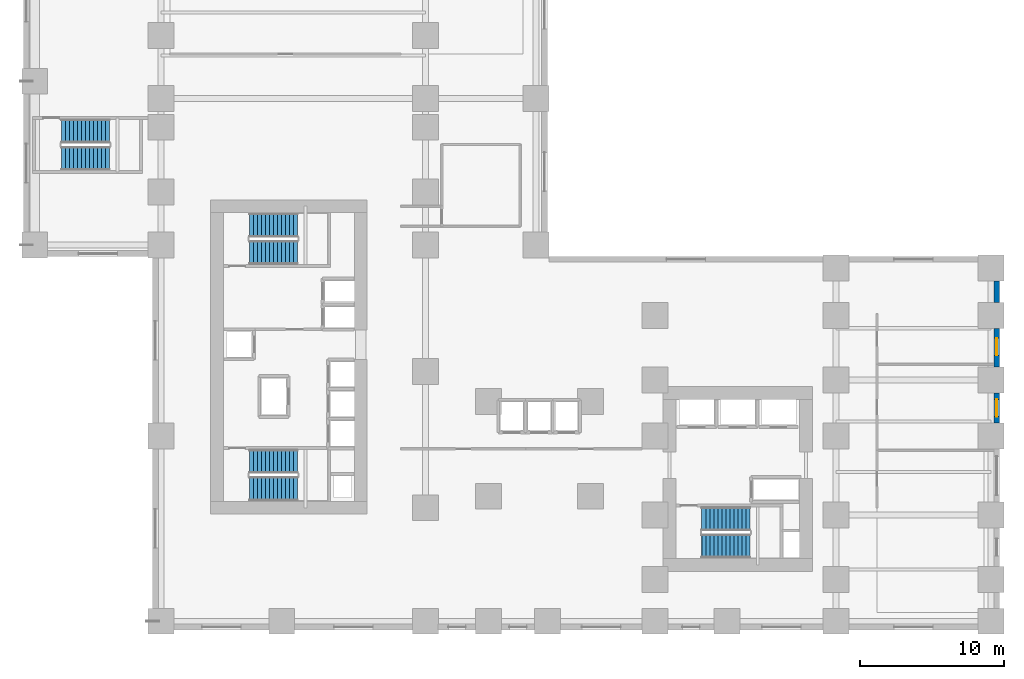
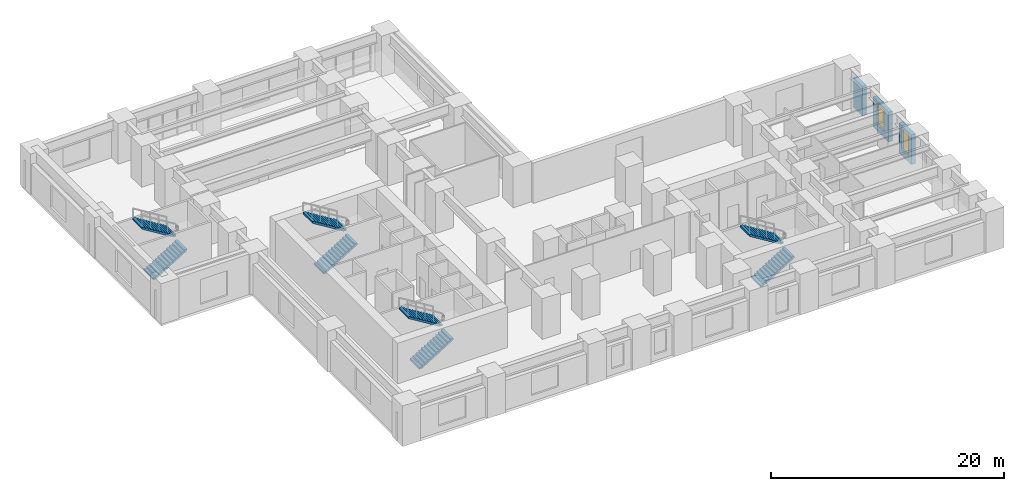
# One storey, part 8 of 11: 8 stair flights, 3 walls, 2 windows, 2 openings, 4 elements without a shape of their own.
"""IFC4 building model written with IfcOpenShell, lengths in metres."""

import ifcopenshell
import ifcopenshell.guid

model = None  # the IFC model being written
_history = None  # IfcOwnerHistory: only IFC2X3 demands one
_inside = {}  # id of a spatial element -> (the spatial element, [elements in it])
_under = {}  # id of a project, library or spatial element -> (it, [spatial elements below it])
_declared = {}  # id of a project -> (the project, [libraries it declares])
_typed = {}  # id of a type object -> (the type object, [elements of that type])
_made_of = {}  # id of a material, layer set ... -> (it, [elements and type objects made of it])


def new_model(schema):
    """Start an empty IFC model of exactly this schema.

    Asked for "IFC4X3", IfcOpenShell would pick the latest addendum, in which some entities
    have other attributes; the version numbers below select the first issue.
    IFC2X3 requires an IfcOwnerHistory on every rooted entity: one is made here for all.
    """
    global model, _history
    if schema == "IFC4X3":
        model = ifcopenshell.file(schema_version=(4, 3, 0, 0))
    else:
        model = ifcopenshell.file(schema=schema)
    _inside.clear()
    _under.clear()
    _declared.clear()
    _typed.clear()
    _made_of.clear()
    _history = None
    if model.schema == "IFC2X3":
        org = make("IfcOrganization", Name="unknown")
        user = make(
            "IfcPersonAndOrganization",
            ThePerson=make("IfcPerson", FamilyName="unknown"),
            TheOrganization=org,
        )
        app = make(
            "IfcApplication",
            ApplicationDeveloper=org,
            Version="unknown",
            ApplicationFullName="unknown",
            ApplicationIdentifier="unknown",
        )
        _history = make(
            "IfcOwnerHistory",
            OwningUser=user,
            OwningApplication=app,
            ChangeAction="ADDED",
            CreationDate=0,
        )
    return model


def make(cls, **values):
    """One entity of the class cls with the attributes given. An attribute that is None is left unset."""
    return model.create_entity(
        cls, **{name: value for name, value in values.items() if value is not None}
    )


def rooted(cls, **values):
    """An entity with a GlobalId (a new one), such as an element, a storey or a relation."""
    return make(cls, GlobalId=ifcopenshell.guid.new(), OwnerHistory=_history, **values)


def si_unit(unit_type, name, prefix=None):
    """IfcSIUnit, for example si_unit("LENGTHUNIT", "METRE", prefix="MILLI")."""
    return make("IfcSIUnit", UnitType=unit_type, Prefix=prefix, Name=name)


def assignment(units):
    """IfcUnitAssignment: the units of a project."""
    return None if units is None else make("IfcUnitAssignment", Units=units)


def point(xyz):
    """IfcCartesianPoint."""
    return None if xyz is None else make("IfcCartesianPoint", Coordinates=xyz)


def direction(xyz):
    """IfcDirection."""
    return None if xyz is None else make("IfcDirection", DirectionRatios=xyz)


def frame(location, z_axis=None, x_axis=None):
    """IfcAxis2Placement3D, a coordinate frame: its origin and axes. An axis left out is left unset."""
    return make(
        "IfcAxis2Placement3D",
        Location=point(location),
        Axis=direction(z_axis),
        RefDirection=direction(x_axis),
    )


def frame_2d(location, x_axis=None):
    """IfcAxis2Placement2D, a coordinate frame in the plane: its origin and x axis."""
    return make(
        "IfcAxis2Placement2D", Location=point(location), RefDirection=direction(x_axis)
    )


def origin():
    """The frame at (0, 0, 0) with its axes left unset."""
    return frame((0.0, 0.0, 0.0))


def place(relative_to, where):
    """IfcLocalPlacement: puts the frame where relative to a parent placement (None: the world)."""
    return make(
        "IfcLocalPlacement", PlacementRelTo=relative_to, RelativePlacement=where
    )


def context(
    kind, dimensions, precision=None, world=None, true_north=None, identifier=None
):
    """IfcGeometricRepresentationContext, for example the 3D "Model" context."""
    return make(
        "IfcGeometricRepresentationContext",
        ContextIdentifier=identifier,
        ContextType=kind,
        CoordinateSpaceDimension=dimensions,
        Precision=precision,
        WorldCoordinateSystem=world,
        TrueNorth=true_north,
    )


def subcontext(parent, identifier, kind, view, scale=None):
    """IfcGeometricRepresentationSubContext, for example "Body" below "Model"."""
    return make(
        "IfcGeometricRepresentationSubContext",
        ContextIdentifier=identifier,
        ContextType=kind,
        ParentContext=parent,
        TargetScale=scale,
        TargetView=view,
    )


def project(units=None, contexts=None):
    """IfcProject with its units and contexts."""
    return rooted(
        "IfcProject",
        Name="project",
        RepresentationContexts=contexts,
        UnitsInContext=assignment(units),
    )


def spatial(cls, under=None, at=None, **own):
    """A site, building, storey or space (cls), placed at a placement, below another one or the project."""
    s = rooted(cls, ObjectPlacement=at, **own)
    if under is not None:
        _under.setdefault(under.id(), (under, []))[1].append(s)
    return s


def polyline(points):
    """IfcPolyline through the points."""
    return make("IfcPolyline", Points=[point(p) for p in points])


def profile(cls, at=None, kind="AREA", **sizes):
    """A parametric profile (cls). Its sizes go by their IFC names, for example OverallWidth=200.0."""
    return make(cls, ProfileType=kind, Position=at, **sizes)


def rectangle(**sizes):
    """IfcRectangleProfileDef."""
    return profile("IfcRectangleProfileDef", **sizes)


def outline(outer, holes=None, kind="AREA"):
    """IfcArbitraryClosedProfileDef: a profile drawn as a closed curve; with holes, ...WithVoids."""
    if holes is None:
        return make("IfcArbitraryClosedProfileDef", ProfileType=kind, OuterCurve=outer)
    return make(
        "IfcArbitraryProfileDefWithVoids",
        ProfileType=kind,
        OuterCurve=outer,
        InnerCurves=holes,
    )


def extrude(swept, where, along, depth):
    """IfcExtrudedAreaSolid: the profile swept, set in the frame where, extruded along a direction by depth."""
    return make(
        "IfcExtrudedAreaSolid",
        SweptArea=swept,
        Position=where,
        ExtrudedDirection=direction(along),
        Depth=depth,
    )


def shape(context_of_items, identifier, shape_type, items):
    """IfcShapeRepresentation: the items that make up one representation, for example the "Body"."""
    return make(
        "IfcShapeRepresentation",
        ContextOfItems=context_of_items,
        RepresentationIdentifier=identifier,
        RepresentationType=shape_type,
        Items=items,
    )


def source(mapping_origin, context_of_items, identifier, shape_type, items):
    """IfcRepresentationMap: a shape defined once, which mapped items show again and again."""
    return make(
        "IfcRepresentationMap",
        MappingOrigin=mapping_origin,
        MappedRepresentation=shape(context_of_items, identifier, shape_type, items),
    )


def transform(
    local_origin,
    x_axis=None,
    y_axis=None,
    z_axis=None,
    scale=None,
    scale2=None,
    scale3=None,
    uniform=True,
):
    """IfcCartesianTransformationOperator3D, or its non-uniform kind. x_axis, y_axis, z_axis: its Axis1, 2, 3."""
    if uniform:
        return make(
            "IfcCartesianTransformationOperator3D",
            Axis1=direction(x_axis),
            Axis2=direction(y_axis),
            LocalOrigin=point(local_origin),
            Scale=scale,
            Axis3=direction(z_axis),
        )
    return make(
        "IfcCartesianTransformationOperator3DnonUniform",
        Axis1=direction(x_axis),
        Axis2=direction(y_axis),
        LocalOrigin=point(local_origin),
        Scale=scale,
        Axis3=direction(z_axis),
        Scale2=scale2,
        Scale3=scale3,
    )


def mapped(mapping_source, mapping_target):
    """IfcMappedItem: shows the shape of a source again, moved by a transform."""
    return make(
        "IfcMappedItem", MappingSource=mapping_source, MappingTarget=mapping_target
    )


def material(Name=None, Category=None):
    """IfcMaterial."""
    return make("IfcMaterial", Name=Name, Category=Category)


def layer(
    of_material, thickness, ventilated=None, Name=None, Category=None, Priority=None
):
    """IfcMaterialLayer: one layer of a wall or slab, of a material (None: an air gap)."""
    return make(
        "IfcMaterialLayer",
        Material=of_material,
        LayerThickness=thickness,
        IsVentilated=ventilated,
        Name=Name,
        Category=Category,
        Priority=Priority,
    )


def layer_set(layers, Name=None):
    """IfcMaterialLayerSet."""
    return make("IfcMaterialLayerSet", MaterialLayers=layers, LayerSetName=Name)


def made_of(thing, what):
    """Note that an element or type object is made of a material, layer set ...; save() writes the relation."""
    if what is not None:
        _made_of.setdefault(what.id(), (what, []))[1].append(thing)
    return thing


def type_object(cls, material=None, **own):
    """A type object (cls), such as IfcWallType, which elements share."""
    return made_of(rooted(cls, **own), material)


def element(
    cls,
    number,
    at=None,
    inside=None,
    cuts=None,
    type_object=None,
    material=None,
    context=None,
    identifier="Body",
    shape_type=None,
    held_by="IfcProductDefinitionShape",
    body=None,
    shapes=None,
    **own,
):
    """One element of the class cls, such as IfcWall. Its Tag is "e" and its number.

    at: its placement. inside: the storey or other place that contains it. cuts: it is an
    opening in that element (IfcRelVoidsElement). A single representation is given by context,
    identifier, shape_type and body (its items); several are given by shapes. held_by: the class
    of the entity that holds the representations. save() writes the other relations.
    """
    e = rooted(cls, Tag="e%d" % number, ObjectPlacement=at, **own)
    if body is not None:
        shapes = [shape(context, identifier, shape_type, body)]
    if shapes is not None:
        e.Representation = make(held_by, Representations=shapes)
    if inside is not None:
        _inside.setdefault(inside.id(), (inside, []))[1].append(e)
    if cuts is not None:
        rooted(
            "IfcRelVoidsElement", RelatingBuildingElement=cuts, RelatedOpeningElement=e
        )
    if type_object is not None:
        _typed.setdefault(type_object.id(), (type_object, []))[1].append(e)
    return made_of(e, material)


def fill(opening, filler):
    """IfcRelFillsElement: the door or window that sits in an opening."""
    return rooted(
        "IfcRelFillsElement",
        RelatingOpeningElement=opening,
        RelatedBuildingElement=filler,
    )


def aggregate(whole, parts):
    """IfcRelAggregates: a whole, such as a stair, and the parts it consists of."""
    return rooted("IfcRelAggregates", RelatingObject=whole, RelatedObjects=parts)


def save(model, path):
    """Write the relations noted so far, then the file.

    IfcRelAggregates (storeys below a building ...), IfcRelContainedInSpatialStructure (elements
    in a storey), IfcRelDefinesByType, IfcRelAssociatesMaterial and IfcRelDeclares: one each for
    every whole, place, type object, material and project.
    """
    for whole, parts in _under.values():
        aggregate(whole, parts)
    for where, things in _inside.values():
        rooted(
            "IfcRelContainedInSpatialStructure",
            RelatedElements=things,
            RelatingStructure=where,
        )
    for kind, things in _typed.values():
        rooted("IfcRelDefinesByType", RelatedObjects=things, RelatingType=kind)
    for what, things in _made_of.values():
        rooted("IfcRelAssociatesMaterial", RelatedObjects=things, RelatingMaterial=what)
    for by, libraries in _declared.values():
        rooted("IfcRelDeclares", RelatingContext=by, RelatedDefinitions=libraries)
    model.write(path)


model = new_model("IFC4")

# Units and contexts
model_context = context("Model", 3, precision=1e-05, world=origin(), true_north=direction((0.0, 1.0)))
body_context = subcontext(model_context, "Body", "Model", "MODEL_VIEW")
ifc_project = project(units=[si_unit("LENGTHUNIT", "METRE"), si_unit("AREAUNIT", "SQUARE_METRE"), si_unit("VOLUMEUNIT", "CUBIC_METRE"), si_unit("PLANEANGLEUNIT", "RADIAN"), si_unit("MASSUNIT", "GRAM", prefix="KILO")], contexts=[model_context])

# Site, building, storey
site_placement = place(None, origin())
site = spatial("IfcSite", under=ifc_project, at=site_placement, CompositionType="ELEMENT")
building_placement = place(site_placement, origin())
building = spatial("IfcBuilding", under=site, at=building_placement, Name="Kharzan Plaza Tower", CompositionType="ELEMENT")
storey_placement = place(building_placement, frame((0.0, 0.0, 9.0)))
storey = spatial("IfcBuildingStorey", under=building, at=storey_placement, Name="L02", CompositionType="ELEMENT", Elevation=9.0)

# Wall, opening, window
ifc_material_1 = material(Name="Concrete C40/50", Category="concrete")
ifc_layer = layer(ifc_material_1, 0.39990234375)
ifc_layer_set = layer_set([ifc_layer], Name="Concrete C40/50")
wall_type = type_object("IfcWallType", Name="WL-POD-MAS-400", PredefinedType="SOLIDWALL", material=ifc_layer_set)
wall_1_placement = place(storey_placement, frame((58.800048828125, 14.39794921875, 0.0), z_axis=(0.0, 0.0, 1.0), x_axis=(0.0, 1.0, 0.0)))
wall_1 = element("IfcWall", 1, at=wall_1_placement, inside=storey, type_object=wall_type, Name="L02 Masonry-Frame Exterior Wall 27", PredefinedType="SOLIDWALL", context=body_context, shape_type="SweptSolid", body=[
    extrude(rectangle(XDim=2.10400390625, YDim=0.39990234375, at=frame_2d((1.052001953125, 0.0))), origin(), (0.0, 0.0, 1.0), 3.116943359375),
])
opening_1_placement = place(wall_1_placement, frame((0.451904296875, 0.0, 0.64990234375)))
opening_1 = element("IfcOpeningElement", 2, at=opening_1_placement, cuts=wall_1, Name="Opening W3", PredefinedType="OPENING", context=body_context, shape_type="SweptSolid", body=[
    extrude(rectangle(XDim=1.199951171875, YDim=2.287109375, at=frame_2d((0.60009765625, 1.1435546875))), frame((0.0, 0.2099609375, 0.0), z_axis=(0.0, -1.0, 0.0), x_axis=(1.0, 0.0, 0.0)), (0.0, 0.0, 1.0), 0.419921875),
])
ifc_material_2 = material(Name="Low-E Double Glazing", Category="glass")
window_type = type_object("IfcWindowType", Name="WN-REC-1200x2100", PartitioningType="SINGLE_PANEL", PredefinedType="WINDOW", material=ifc_material_2)
shared_shape_1 = source(origin(), body_context, "Body", "SweptSolid", [
    extrude(rectangle(XDim=1.199951171875, YDim=2.287109375, at=frame_2d((0.60009765625, 1.1435546875))), frame((0.0, 0.030029296875, 0.0), z_axis=(0.0, -1.0, 0.0), x_axis=(1.0, 0.0, 0.0)), (0.0, 0.0, 1.0), 0.06005859375),
])
window_1_placement = place(opening_1_placement, origin())
window_1 = element("IfcWindow", 3, at=window_1_placement, inside=storey, type_object=window_type, Name="L02 Recessed Solar-Control Window 27-1", OverallHeight=2.287109375, OverallWidth=1.199951171875, PartitioningType="SINGLE_PANEL", PredefinedType="WINDOW", context=body_context, shape_type="MappedRepresentation", body=[
    mapped(shared_shape_1, transform((0.0, 0.0, 0.0), x_axis=(1.0, 0.0, 0.0), y_axis=(0.0, 1.0, 0.0), z_axis=(0.0, 0.0, 1.0))),
])
fill(opening_1, window_1)

wall_2_placement = place(storey_placement, frame((58.800048828125, 18.298095703125, 0.0), z_axis=(0.0, 0.0, 1.0), x_axis=(0.0, 1.0, 0.0)))
wall_2 = element("IfcWall", 4, at=wall_2_placement, inside=storey, type_object=wall_type, Name="L02 Masonry-Frame Exterior Wall 28", PredefinedType="SOLIDWALL", context=body_context, shape_type="SweptSolid", body=[
    extrude(rectangle(XDim=2.703857421875, YDim=0.39990234375, at=frame_2d((1.35205078125, 0.0))), origin(), (0.0, 0.0, 1.0), 3.116943359375),
])
opening_2_placement = place(wall_2_placement, frame((0.818115234375, 0.0, 0.64990234375)))
opening_2 = element("IfcOpeningElement", 5, at=opening_2_placement, cuts=wall_2, Name="Opening W3", PredefinedType="OPENING", context=body_context, shape_type="SweptSolid", body=[
    extrude(rectangle(XDim=1.199951171875, YDim=2.287109375, at=frame_2d((0.60009765625, 1.1435546875))), frame((0.0, 0.2099609375, 0.0), z_axis=(0.0, -1.0, 0.0), x_axis=(1.0, 0.0, 0.0)), (0.0, 0.0, 1.0), 0.419921875),
])
window_2_placement = place(opening_2_placement, origin())
window_2 = element("IfcWindow", 6, at=window_2_placement, inside=storey, type_object=window_type, Name="L02 Recessed Solar-Control Window 28-1", OverallHeight=2.287109375, OverallWidth=1.199951171875, PartitioningType="SINGLE_PANEL", PredefinedType="WINDOW", context=body_context, shape_type="MappedRepresentation", body=[
    mapped(shared_shape_1, transform((0.0, 0.0, 0.0), x_axis=(1.0, 0.0, 0.0), y_axis=(0.0, 1.0, 0.0), z_axis=(0.0, 0.0, 1.0))),
])
fill(opening_2, window_2)

# Wall
shared_shape_2 = source(origin(), body_context, "Body", "SweptSolid", [
    extrude(rectangle(XDim=1.50390625, YDim=0.39990234375, at=frame_2d((0.751953125, 0.0))), origin(), (0.0, 0.0, 1.0), 3.116943359375),
])
wall_3_placement = place(storey_placement, frame((58.800048828125, 22.798095703125, 0.0), z_axis=(0.0, 0.0, 1.0), x_axis=(0.0, 1.0, 0.0)))
element("IfcWall", 7, at=wall_3_placement, inside=storey, type_object=wall_type, Name="L02 Masonry-Frame Exterior Wall 29", PredefinedType="SOLIDWALL", context=body_context, shape_type="MappedRepresentation", body=[
    mapped(shared_shape_2, transform((0.0, 0.0, 0.0), x_axis=(1.0, 0.0, 0.0), y_axis=(0.0, 1.0, 0.0), z_axis=(0.0, 0.0, 1.0))),
])

# Stair, stair flights
stair_type_1 = type_object("IfcStairType", Name="STR-ST-1", PredefinedType="HALF_TURN_STAIR", material=ifc_material_1)
stair_1_placement = place(storey_placement, origin())
stair_1 = element("IfcStair", 8, at=stair_1_placement, inside=storey, type_object=stair_type_1, Name="L02 Protected Exit Stair ST-1", PredefinedType="HALF_TURN_STAIR")
stair_flight_type = type_object("IfcStairFlightType", Name="SFL-1650-R173", PredefinedType="STRAIGHT", material=ifc_material_1)
shared_shape_3 = source(origin(), body_context, "Body", "SweptSolid", [
    extrude(outline(polyline([(-0.0029296875, -0.011962890625), (-0.0029296875, 0.0), (0.0, 0.0), (0.0, 0.173095703125), (0.280029296875, 0.173095703125), (0.280029296875, 0.34619140625), (0.56005859375, 0.34619140625), (0.56005859375, 0.519287109375), (0.840087890625, 0.519287109375), (0.840087890625, 0.6923828125), (1.1201171875, 0.6923828125), (1.1201171875, 0.865478515625), (1.400146484375, 0.865478515625), (1.400146484375, 1.03857421875), (1.68017578125, 1.03857421875), (1.68017578125, 1.211669921875), (1.960205078125, 1.211669921875), (1.960205078125, 1.384765625), (2.240234375, 1.384765625), (2.240234375, 1.557861328125), (2.520263671875, 1.557861328125), (2.520263671875, 1.73095703125), (2.80029296875, 1.73095703125), (2.80029296875, 1.904052734375), (3.080322265625, 1.904052734375), (3.080322265625, 2.0771484375), (3.3603515625, 2.0771484375), (3.3603515625, 2.250244140625), (3.3603515625, 1.90087890625), (0.28515625, 0.0), (0.28515625, -0.011962890625), (-0.0029296875, -0.011962890625)])), frame((0.0, 0.824951171875, 0.0), z_axis=(0.0, -1.0, 0.0), x_axis=(1.0, 0.0, 0.0)), (0.0, 0.0, 1.0), 1.64990234375),
])
stair_flight_1_placement = place(storey_placement, frame((6.75, 9.824951171875, 0.0), z_axis=(0.0, 0.0, 1.0), x_axis=(1.0, 0.0, 0.0)))
stair_flight_1 = element("IfcStairFlight", 9, at=stair_flight_1_placement, type_object=stair_flight_type, Name="ST-1 flight 1", NumberOfRisers=13, NumberOfTreads=12, PredefinedType="STRAIGHT", RiserHeight=0.173076923, TreadLength=0.28, context=body_context, shape_type="MappedRepresentation", body=[
    mapped(shared_shape_3, transform((0.0, 0.0, 0.0), x_axis=(1.0, 0.0, 0.0), y_axis=(0.0, 1.0, 0.0), z_axis=(0.0, 0.0, 1.0))),
])
stair_flight_2_placement = place(storey_placement, frame((10.110107421875, 11.72509765625, 2.25), z_axis=(0.0, 0.0, 1.0), x_axis=(-1.0, 0.0, 0.0)))
stair_flight_2 = element("IfcStairFlight", 10, at=stair_flight_2_placement, type_object=stair_flight_type, Name="ST-1 flight 2", NumberOfRisers=13, NumberOfTreads=12, PredefinedType="STRAIGHT", RiserHeight=0.173076923, TreadLength=0.28, context=body_context, shape_type="MappedRepresentation", body=[
    mapped(shared_shape_3, transform((0.0, 0.0, 0.0), x_axis=(1.0, 0.0, 0.0), y_axis=(0.0, 1.0, 0.0), z_axis=(0.0, 0.0, 1.0))),
])
aggregate(stair_1, [stair_flight_1, stair_flight_2])

stair_type_2 = type_object("IfcStairType", Name="STR-ST-2", PredefinedType="HALF_TURN_STAIR", material=ifc_material_1)
stair_2_placement = place(storey_placement, origin())
stair_2 = element("IfcStair", 11, at=stair_2_placement, inside=storey, type_object=stair_type_2, Name="L02 Protected Exit Stair ST-2", PredefinedType="HALF_TURN_STAIR")
stair_flight_3_placement = place(storey_placement, frame((6.75, 26.27490234375, 0.0), z_axis=(0.0, 0.0, 1.0), x_axis=(1.0, 0.0, 0.0)))
stair_flight_3 = element("IfcStairFlight", 12, at=stair_flight_3_placement, type_object=stair_flight_type, Name="ST-2 flight 1", NumberOfRisers=13, NumberOfTreads=12, PredefinedType="STRAIGHT", RiserHeight=0.173076923, TreadLength=0.28, context=body_context, shape_type="MappedRepresentation", body=[
    mapped(shared_shape_3, transform((0.0, 0.0, 0.0), x_axis=(1.0, 0.0, 0.0), y_axis=(0.0, 1.0, 0.0), z_axis=(0.0, 0.0, 1.0))),
])
stair_flight_4_placement = place(storey_placement, frame((10.110107421875, 28.175048828125, 2.25), z_axis=(0.0, 0.0, 1.0), x_axis=(-1.0, 0.0, 0.0)))
stair_flight_4 = element("IfcStairFlight", 13, at=stair_flight_4_placement, type_object=stair_flight_type, Name="ST-2 flight 2", NumberOfRisers=13, NumberOfTreads=12, PredefinedType="STRAIGHT", RiserHeight=0.173076923, TreadLength=0.28, context=body_context, shape_type="MappedRepresentation", body=[
    mapped(shared_shape_3, transform((0.0, 0.0, 0.0), x_axis=(1.0, 0.0, 0.0), y_axis=(0.0, 1.0, 0.0), z_axis=(0.0, 0.0, 1.0))),
])
aggregate(stair_2, [stair_flight_3, stair_flight_4])

stair_type_3 = type_object("IfcStairType", Name="STR-ST-3", PredefinedType="HALF_TURN_STAIR", material=ifc_material_1)
stair_3_placement = place(storey_placement, origin())
stair_3 = element("IfcStair", 14, at=stair_3_placement, inside=storey, type_object=stair_type_3, Name="L02 Protected Exit Stair ST-3", PredefinedType="HALF_TURN_STAIR")
stair_flight_5_placement = place(storey_placement, frame((38.25, 5.824951171875, 0.0), z_axis=(0.0, 0.0, 1.0), x_axis=(1.0, 0.0, 0.0)))
stair_flight_5 = element("IfcStairFlight", 15, at=stair_flight_5_placement, type_object=stair_flight_type, Name="ST-3 flight 1", NumberOfRisers=13, NumberOfTreads=12, PredefinedType="STRAIGHT", RiserHeight=0.173076923, TreadLength=0.28, context=body_context, shape_type="MappedRepresentation", body=[
    mapped(shared_shape_3, transform((0.0, 0.0, 0.0), x_axis=(1.0, 0.0, 0.0), y_axis=(0.0, 1.0, 0.0), z_axis=(0.0, 0.0, 1.0))),
])
stair_flight_6_placement = place(storey_placement, frame((41.610107421875, 7.72509765625, 2.25), z_axis=(0.0, 0.0, 1.0), x_axis=(-1.0, 0.0, 0.0)))
stair_flight_6 = element("IfcStairFlight", 16, at=stair_flight_6_placement, type_object=stair_flight_type, Name="ST-3 flight 2", NumberOfRisers=13, NumberOfTreads=12, PredefinedType="STRAIGHT", RiserHeight=0.173076923, TreadLength=0.28, context=body_context, shape_type="MappedRepresentation", body=[
    mapped(shared_shape_3, transform((0.0, 0.0, 0.0), x_axis=(1.0, 0.0, 0.0), y_axis=(0.0, 1.0, 0.0), z_axis=(0.0, 0.0, 1.0))),
])
aggregate(stair_3, [stair_flight_5, stair_flight_6])

stair_type_4 = type_object("IfcStairType", Name="STR-ST-4", PredefinedType="HALF_TURN_STAIR", material=ifc_material_1)
stair_4_placement = place(storey_placement, origin())
stair_4 = element("IfcStair", 17, at=stair_4_placement, inside=storey, type_object=stair_type_4, Name="L02 Podium Exit Stair ST-4", PredefinedType="HALF_TURN_STAIR")
stair_flight_7_placement = place(storey_placement, frame((-6.35009765625, 32.824951171875, 0.0), z_axis=(0.0, 0.0, 1.0), x_axis=(1.0, 0.0, 0.0)))
stair_flight_7 = element("IfcStairFlight", 18, at=stair_flight_7_placement, type_object=stair_flight_type, Name="ST-4 flight 1", NumberOfRisers=13, NumberOfTreads=12, PredefinedType="STRAIGHT", RiserHeight=0.173076923, TreadLength=0.28, context=body_context, shape_type="MappedRepresentation", body=[
    mapped(shared_shape_3, transform((0.0, 0.0, 0.0), x_axis=(1.0, 0.0, 0.0), y_axis=(0.0, 1.0, 0.0), z_axis=(0.0, 0.0, 1.0))),
])
stair_flight_8_placement = place(storey_placement, frame((-2.989990234375, 34.72509765625, 2.25), z_axis=(0.0, 0.0, 1.0), x_axis=(-1.0, 0.0, 0.0)))
stair_flight_8 = element("IfcStairFlight", 19, at=stair_flight_8_placement, type_object=stair_flight_type, Name="ST-4 flight 2", NumberOfRisers=13, NumberOfTreads=12, PredefinedType="STRAIGHT", RiserHeight=0.173076923, TreadLength=0.28, context=body_context, shape_type="MappedRepresentation", body=[
    mapped(shared_shape_3, transform((0.0, 0.0, 0.0), x_axis=(1.0, 0.0, 0.0), y_axis=(0.0, 1.0, 0.0), z_axis=(0.0, 0.0, 1.0))),
])
aggregate(stair_4, [stair_flight_7, stair_flight_8])

save(model, "model.ifc")
